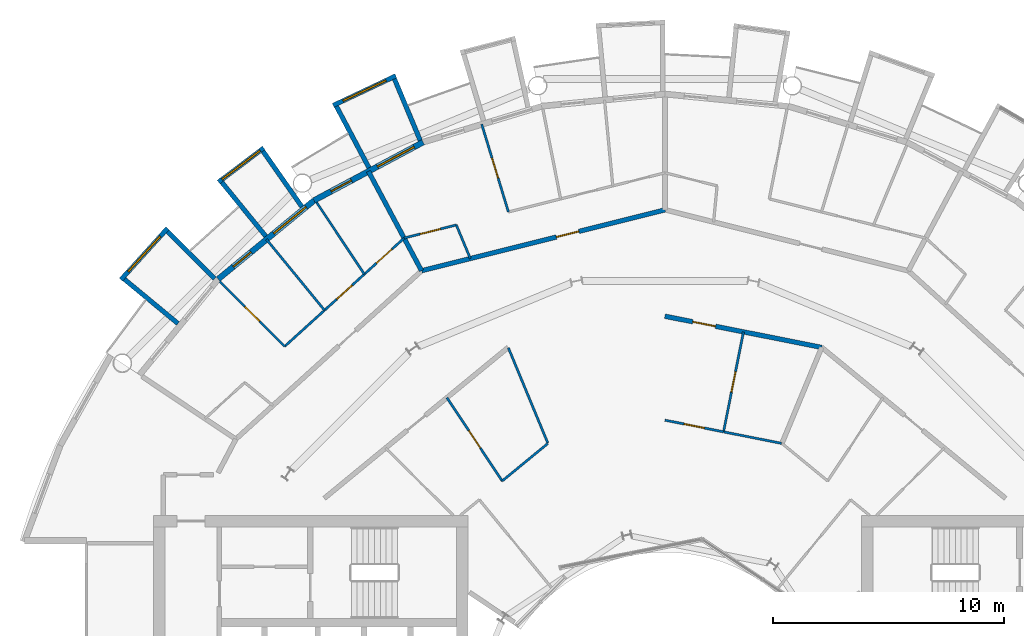
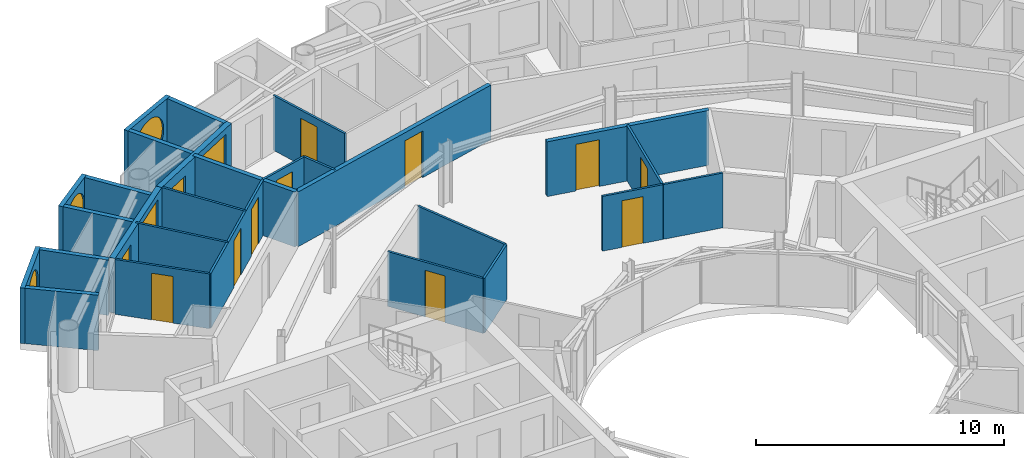
# One storey, part 20 of 27: 27 walls, 12 doors, 5 windows, 17 openings.
"""IFC4 building model written with IfcOpenShell, lengths in metres."""

from ifc_helpers import new_model, si_unit, direction, frame, frame_2d, origin, place, context, subcontext, project, spatial, rectangle, circle, extrude, material, layer, layer_set, type_object, element, fill, save


model = new_model("IFC4")

# Units and contexts
model_context = context("Model", 3, precision=1e-05, world=origin(), true_north=direction((0.0, 1.0)))
body_context = subcontext(model_context, "Body", "Model", "MODEL_VIEW")
ifc_project = project(units=[si_unit("LENGTHUNIT", "METRE"), si_unit("AREAUNIT", "SQUARE_METRE"), si_unit("VOLUMEUNIT", "CUBIC_METRE"), si_unit("PLANEANGLEUNIT", "RADIAN"), si_unit("MASSUNIT", "GRAM", prefix="KILO")], contexts=[model_context])

# Site, building, storey
site_placement = place(None, origin())
site = spatial("IfcSite", under=ifc_project, at=site_placement, CompositionType="ELEMENT")
building_placement = place(site_placement, origin())
building = spatial("IfcBuilding", under=site, at=building_placement, Name="Maasbend Ring Residences", CompositionType="ELEMENT")
storey_placement = place(building_placement, frame((0.0, 0.0, 164.64990234375)))
storey = spatial("IfcBuildingStorey", under=building, at=storey_placement, Name="L47", CompositionType="ELEMENT", Elevation=164.64990234375)

# Wall, opening, door
ifc_material_1 = material(Name="Concrete C30/37", Category="concrete")
ifc_layer_1 = layer(ifc_material_1, 0.199951171875)
ifc_layer_set_1 = layer_set([ifc_layer_1], Name="Concrete C30/37")
wall_type_1 = type_object("IfcWallType", Name="CORRIDOR WALL 200 CONCRETE", PredefinedType="PARTITIONING", material=ifc_layer_set_1)
wall_1_placement = place(storey_placement, frame((-0.001953125, 17.699951171875, 0.0), z_axis=(0.0, 0.0, 1.0), x_axis=(0.980804334721, -0.194994505033, 0.0)))
wall_1 = element("IfcWall", 1, at=wall_1_placement, inside=storey, type_object=wall_type_1, Name="U-L47-w103", PredefinedType="PARTITIONING", context=body_context, shape_type="SweptSolid", body=[
    extrude(rectangle(XDim=6.907470703125, YDim=0.199951171875, at=frame_2d((3.45361328125, 0.0))), origin(), (0.0, 0.0, 1.0), 2.7001953125),
])
opening_1_placement = place(wall_1_placement, frame((1.22802734375, 0.0, 0.0)))
opening_1 = element("IfcOpeningElement", 2, at=opening_1_placement, cuts=wall_1, Name="Opening D-4725", PredefinedType="OPENING", context=body_context, shape_type="SweptSolid", body=[
    extrude(rectangle(XDim=1.0, YDim=2.300048828125, at=frame_2d((0.5, 1.14990234375))), frame((0.0, 0.10986328125, 0.0), z_axis=(0.0, -1.0, 0.0), x_axis=(1.0, 0.0, 0.0)), (0.0, 0.0, 1.0), 0.219970703125),
])
ifc_material_2 = material(Name="Timber, fire-rated, painted", Category="wood")
door_type_1 = type_object("IfcDoorType", Name="FLAT ENTRANCE DOOR 1000 X 2300 FIRE-RATED", OperationType="NOTDEFINED", PredefinedType="DOOR", material=ifc_material_2)
door_1_placement = place(opening_1_placement, origin())
door_1 = element("IfcDoor", 3, at=door_1_placement, inside=storey, type_object=door_type_1, Name="D-4725", OperationType="SINGLE_SWING_LEFT", OverallHeight=2.300048828125, OverallWidth=1.0, PredefinedType="DOOR", context=body_context, shape_type="SweptSolid", body=[
    extrude(rectangle(XDim=1.0, YDim=2.300048828125, at=frame_2d((0.5, 1.14990234375))), frame((0.0, 0.02490234375, 0.0), z_axis=(0.0, -1.0, 0.0), x_axis=(1.0, 0.0, 0.0)), (0.0, 0.0, 1.0), 0.050048828125),
])
fill(opening_1, door_1)

wall_2_placement = place(storey_placement, frame((-10.511962890625, 19.6669921875, 0.0), z_axis=(0.0, 0.0, 1.0), x_axis=(0.970086843848, 0.242758141765, 0.0)))
wall_2 = element("IfcWall", 4, at=wall_2_placement, inside=storey, type_object=wall_type_1, Name="U-L47-w105", PredefinedType="PARTITIONING", context=body_context, shape_type="SweptSolid", body=[
    extrude(rectangle(XDim=10.84228515625, YDim=0.199951171875, at=frame_2d((5.421142578125, 0.0))), origin(), (0.0, 0.0, 1.0), 2.7001953125),
])
opening_2_placement = place(wall_2_placement, frame((6.001953125, 0.0, 0.0)))
opening_2 = element("IfcOpeningElement", 5, at=opening_2_placement, cuts=wall_2, Name="Opening D-4711", PredefinedType="OPENING", context=body_context, shape_type="SweptSolid", body=[
    extrude(rectangle(XDim=1.0, YDim=2.300048828125, at=frame_2d((0.5, 1.14990234375))), frame((0.0, 0.10986328125, 0.0), z_axis=(0.0, -1.0, 0.0), x_axis=(1.0, 0.0, 0.0)), (0.0, 0.0, 1.0), 0.219970703125),
])
door_2_placement = place(opening_2_placement, origin())
door_2 = element("IfcDoor", 6, at=door_2_placement, inside=storey, type_object=door_type_1, Name="D-4711", OperationType="SINGLE_SWING_RIGHT", OverallHeight=2.300048828125, OverallWidth=1.0, PredefinedType="DOOR", context=body_context, shape_type="SweptSolid", body=[
    extrude(rectangle(XDim=1.0, YDim=2.300048828125, at=frame_2d((0.5, 1.14990234375))), frame((0.0, 0.02490234375, 0.0), z_axis=(0.0, -1.0, 0.0), x_axis=(1.0, 0.0, 0.0)), (0.0, 0.0, 1.0), 0.050048828125),
])
fill(opening_2, door_2)

# Wall, opening, window
ifc_material_3 = material(Name="Pale anodised aluminium panel", Category="aluminium")
ifc_layer_2 = layer(ifc_material_3, 0.199951171875)
ifc_layer_set_2 = layer_set([ifc_layer_2], Name="EW-BOX")
wall_type_2 = type_object("IfcWallType", Name="EW-BOX", PredefinedType="SOLIDWALL", material=ifc_layer_set_2)
wall_3_placement = place(storey_placement, frame((-11.62890625, 28.087890625, -0.02978515625), z_axis=(0.0, 0.0, 1.0), x_axis=(-0.904000060331, -0.427532327342, 0.0)))
wall_3 = element("IfcWall", 7, at=wall_3_placement, inside=storey, type_object=wall_type_2, Name="Box front N15", PredefinedType="SOLIDWALL", context=body_context, shape_type="SweptSolid", body=[
    extrude(rectangle(XDim=2.993408203125, YDim=0.199951171875, at=frame_2d((1.49658203125, 0.0))), origin(), (0.0, 0.0, 1.0), 2.72998046875),
])
opening_3_placement = place(wall_3_placement, frame((0.45654296875, 0.0, 0.330078125)))
opening_3 = element("IfcOpeningElement", 8, at=opening_3_placement, cuts=wall_3, Name="Opening W-RD", PredefinedType="OPENING", context=body_context, shape_type="SweptSolid", body=[
    extrude(circle(Radius=1.0400390625, at=frame_2d((1.0400390625, 1.0400390625))), frame((0.0, 0.10986328125, 0.0), z_axis=(0.0, -1.0, 0.0), x_axis=(1.0, 0.0, 0.0)), (0.0, 0.0, 1.0), 0.219970703125),
])
ifc_material_4 = material(Name="Aluminium and clear glass", Category="aluminium")
window_type_1 = type_object("IfcWindowType", Name="W-RD", PartitioningType="SINGLE_PANEL", PredefinedType="WINDOW", material=ifc_material_4)
window_1_placement = place(opening_3_placement, origin())
window_1 = element("IfcWindow", 9, at=window_1_placement, inside=storey, type_object=window_type_1, Name="Round window N15", OverallHeight=2.080078125, OverallWidth=2.080078125, PartitioningType="SINGLE_PANEL", PredefinedType="WINDOW", context=body_context, shape_type="SweptSolid", body=[
    extrude(circle(Radius=1.0400390625, at=frame_2d((1.0400390625, 1.0400390625))), frame((0.0, 0.030029296875, 0.0), z_axis=(0.0, -1.0, 0.0), x_axis=(1.0, 0.0, 0.0)), (0.0, 0.0, 1.0), 0.06005859375),
])
fill(opening_3, window_1)

# Walls
wall_4_placement = place(storey_placement, frame((-10.574951171875, 25.294921875, -0.02978515625), z_axis=(0.0, 0.0, 1.0), x_axis=(-0.385697364644, 0.922625353492, 0.0)))
element("IfcWall", 10, at=wall_4_placement, inside=storey, type_object=wall_type_2, Name="Box side wall N15 left", PredefinedType="SOLIDWALL", context=body_context, shape_type="SweptSolid", body=[
    extrude(rectangle(XDim=2.88330078125, YDim=0.199951171875, at=frame_2d((1.441650390625, 0.0))), origin(), (0.0, 0.0, 1.0), 2.72998046875),
])
wall_5_placement = place(storey_placement, frame((-12.787109375, 24.113037109375, -0.02978515625), z_axis=(0.0, 0.0, 1.0), x_axis=(-0.468365282436, 0.883534924159, 0.0)))
element("IfcWall", 11, at=wall_5_placement, inside=storey, type_object=wall_type_2, Name="Box side wall N15 right", PredefinedType="SOLIDWALL", context=body_context, shape_type="SweptSolid", body=[
    extrude(rectangle(XDim=3.006103515625, YDim=0.199951171875, at=frame_2d((1.5029296875, 0.0))), origin(), (0.0, 0.0, 1.0), 2.72998046875),
])

# Wall, opening, window
wall_6_placement = place(storey_placement, frame((-17.3369140625, 24.971923828125, -0.02978515625), z_axis=(0.0, 0.0, 1.0), x_axis=(-0.797887588059, -0.602806268067, 0.0)))
wall_6 = element("IfcWall", 12, at=wall_6_placement, inside=storey, type_object=wall_type_2, Name="Box front N17", PredefinedType="SOLIDWALL", context=body_context, shape_type="SweptSolid", body=[
    extrude(rectangle(XDim=2.446533203125, YDim=0.199951171875, at=frame_2d((1.22314453125, 0.0))), origin(), (0.0, 0.0, 1.0), 2.72998046875),
])
opening_4_placement = place(wall_6_placement, frame((0.182861328125, 0.0, 0.330078125)))
opening_4 = element("IfcOpeningElement", 13, at=opening_4_placement, cuts=wall_6, Name="Opening W-RD", PredefinedType="OPENING", context=body_context, shape_type="SweptSolid", body=[
    extrude(circle(Radius=1.0400390625, at=frame_2d((1.0400390625, 1.0400390625))), frame((0.0, 0.10986328125, 0.0), z_axis=(0.0, -1.0, 0.0), x_axis=(1.0, 0.0, 0.0)), (0.0, 0.0, 1.0), 0.219970703125),
])
window_2_placement = place(opening_4_placement, origin())
window_2 = element("IfcWindow", 14, at=window_2_placement, inside=storey, type_object=window_type_1, Name="Round window N17", OverallHeight=2.080078125, OverallWidth=2.080078125, PartitioningType="SINGLE_PANEL", PredefinedType="WINDOW", context=body_context, shape_type="SweptSolid", body=[
    extrude(circle(Radius=1.0400390625, at=frame_2d((1.0400390625, 1.0400390625))), frame((0.0, 0.030029296875, 0.0), z_axis=(0.0, -1.0, 0.0), x_axis=(1.0, 0.0, 0.0)), (0.0, 0.0, 1.0), 0.06005859375),
])
fill(opening_4, window_2)

# Walls
wall_7_placement = place(storey_placement, frame((-15.68798828125, 22.43310546875, -0.02978515625), z_axis=(0.0, 0.0, 1.0), x_axis=(-0.573260687834, 0.819373043115, 0.0)))
element("IfcWall", 15, at=wall_7_placement, inside=storey, type_object=wall_type_2, Name="Box side wall N17 left", PredefinedType="SOLIDWALL", context=body_context, shape_type="SweptSolid", body=[
    extrude(rectangle(XDim=2.92529296875, YDim=0.199951171875, at=frame_2d((1.462646484375, 0.0))), origin(), (0.0, 0.0, 1.0), 2.72998046875),
])
wall_8_placement = place(storey_placement, frame((-17.24609375, 21.155029296875, -0.02978515625), z_axis=(0.0, 0.0, 1.0), x_axis=(-0.631741648902, 0.775179004516, 0.0)))
element("IfcWall", 16, at=wall_8_placement, inside=storey, type_object=wall_type_2, Name="Box side wall N17 right", PredefinedType="SOLIDWALL", context=body_context, shape_type="SweptSolid", body=[
    extrude(rectangle(XDim=3.005859375, YDim=0.199951171875, at=frame_2d((1.5029296875, 0.0))), origin(), (0.0, 0.0, 1.0), 2.72998046875),
])

# Wall, opening, window
wall_9_placement = place(storey_placement, frame((-21.492919921875, 21.5, -0.02978515625), z_axis=(0.0, 0.0, 1.0), x_axis=(-0.671506829416, -0.740998365753, 0.0)))
wall_9 = element("IfcWall", 17, at=wall_9_placement, inside=storey, type_object=wall_type_2, Name="Box front N19", PredefinedType="SOLIDWALL", context=body_context, shape_type="SweptSolid", body=[
    extrude(rectangle(XDim=2.9931640625, YDim=0.199951171875, at=frame_2d((1.49658203125, 0.0))), origin(), (0.0, 0.0, 1.0), 2.72998046875),
])
opening_5_placement = place(wall_9_placement, frame((0.45654296875, 0.0, 0.330078125)))
opening_5 = element("IfcOpeningElement", 18, at=opening_5_placement, cuts=wall_9, Name="Opening W-RD", PredefinedType="OPENING", context=body_context, shape_type="SweptSolid", body=[
    extrude(circle(Radius=1.0400390625, at=frame_2d((1.0400390625, 1.0400390625))), frame((0.0, 0.10986328125, 0.0), z_axis=(0.0, -1.0, 0.0), x_axis=(1.0, 0.0, 0.0)), (0.0, 0.0, 1.0), 0.219970703125),
])
window_3_placement = place(opening_5_placement, origin())
window_3 = element("IfcWindow", 19, at=window_3_placement, inside=storey, type_object=window_type_1, Name="Round window N19", OverallHeight=2.080078125, OverallWidth=2.080078125, PartitioningType="SINGLE_PANEL", PredefinedType="WINDOW", context=body_context, shape_type="SweptSolid", body=[
    extrude(circle(Radius=1.0400390625, at=frame_2d((1.0400390625, 1.0400390625))), frame((0.0, 0.030029296875, 0.0), z_axis=(0.0, -1.0, 0.0), x_axis=(1.0, 0.0, 0.0)), (0.0, 0.0, 1.0), 0.06005859375),
])
fill(opening_5, window_3)

# Walls
wall_10_placement = place(storey_placement, frame((-19.449951171875, 19.322998046875, -0.02978515625), z_axis=(0.0, 0.0, 1.0), x_axis=(-0.709727076896, 0.704476739375, 0.0)))
element("IfcWall", 20, at=wall_10_placement, inside=storey, type_object=wall_type_2, Name="Box side wall N19 left", PredefinedType="SOLIDWALL", context=body_context, shape_type="SweptSolid", body=[
    extrude(rectangle(XDim=2.883056640625, YDim=0.199951171875, at=frame_2d((1.44140625, 0.0))), origin(), (0.0, 0.0, 1.0), 2.72998046875),
])
wall_11_placement = place(storey_placement, frame((-21.041015625, 17.384033203125, -0.02978515625), z_axis=(0.0, 0.0, 1.0), x_axis=(-0.770784861449, 0.63709551667, 0.0)))
element("IfcWall", 21, at=wall_11_placement, inside=storey, type_object=wall_type_2, Name="Box side wall N19 right", PredefinedType="SOLIDWALL", context=body_context, shape_type="SweptSolid", body=[
    extrude(rectangle(XDim=3.005859375, YDim=0.199951171875, at=frame_2d((1.5029296875, 0.0))), origin(), (0.0, 0.0, 1.0), 2.72998046875),
])

# Wall, openings, door, window
ifc_material_5 = material(Name="Aluminium clad insulated panel", Category="aluminium")
ifc_layer_3 = layer(ifc_material_5, 0.25)
ifc_layer_set_3 = layer_set([ifc_layer_3], Name="EW-GL")
wall_type_3 = type_object("IfcWallType", Name="EW-GL", PredefinedType="SOLIDWALL", material=ifc_layer_set_3)
wall_12_placement = place(storey_placement, frame((-10.447021484375, 25.221923828125, 0.0), z_axis=(0.0, 0.0, 1.0), x_axis=(-0.881915646801, -0.471407246368, 0.0)))
wall_12 = element("IfcWall", 22, at=wall_12_placement, inside=storey, type_object=wall_type_3, Name="External wall N08", PredefinedType="SOLIDWALL", context=body_context, shape_type="SweptSolid", body=[
    extrude(rectangle(XDim=5.35205078125, YDim=0.25, at=frame_2d((2.676025390625, 0.0))), origin(), (0.0, 0.0, 1.0), 2.7001953125),
])
opening_6_placement = place(wall_12_placement, frame((0.441162109375, 0.0, 0.300048828125)))
opening_6 = element("IfcOpeningElement", 23, at=opening_6_placement, cuts=wall_12, Name="Opening W-BX", PredefinedType="OPENING", context=body_context, shape_type="SweptSolid", body=[
    extrude(rectangle(XDim=1.800048828125, YDim=2.10009765625, at=frame_2d((0.89990234375, 1.050048828125))), frame((0.0, 0.135009765625, 0.0), z_axis=(0.0, -1.0, 0.0), x_axis=(1.0, 0.0, 0.0)), (0.0, 0.0, 1.0), 0.27001953125),
])
opening_7_placement = place(wall_12_placement, frame((3.510498046875, 0.0, 0.0)))
opening_7 = element("IfcOpeningElement", 24, at=opening_7_placement, cuts=wall_12, Name="Opening D-LG", PredefinedType="OPENING", context=body_context, shape_type="SweptSolid", body=[
    extrude(rectangle(XDim=1.0, YDim=2.199951171875, at=frame_2d((0.5, 1.10009765625))), frame((0.0, 0.135009765625, 0.0), z_axis=(0.0, -1.0, 0.0), x_axis=(1.0, 0.0, 0.0)), (0.0, 0.0, 1.0), 0.27001953125),
])
ifc_material_6 = material(Name="Aluminium and clear glass", Category="aluminium")
door_type_2 = type_object("IfcDoorType", Name="D-LG", OperationType="SINGLE_SWING_LEFT", PredefinedType="DOOR", material=ifc_material_6)
door_3_placement = place(opening_7_placement, origin())
door_3 = element("IfcDoor", 25, at=door_3_placement, inside=storey, type_object=door_type_2, Name="Loggia door N16", OperationType="SINGLE_SWING_LEFT", OverallHeight=2.199951171875, OverallWidth=1.0, PredefinedType="DOOR", context=body_context, shape_type="SweptSolid", body=[
    extrude(rectangle(XDim=1.0, YDim=2.199951171875, at=frame_2d((0.5, 1.10009765625))), frame((0.0, 0.02490234375, 0.0), z_axis=(0.0, -1.0, 0.0), x_axis=(1.0, 0.0, 0.0)), (0.0, 0.0, 1.0), 0.050048828125),
])
fill(opening_7, door_3)
ifc_material_7 = material(Name="Aluminium and clear glass", Category="aluminium")
window_type_2 = type_object("IfcWindowType", Name="W-BX", PartitioningType="DOUBLE_PANEL_VERTICAL", PredefinedType="WINDOW", material=ifc_material_7)
window_4_placement = place(opening_6_placement, origin())
window_4 = element("IfcWindow", 26, at=window_4_placement, inside=storey, type_object=window_type_2, Name="Window N15 room to box", OverallHeight=2.10009765625, OverallWidth=1.800048828125, PartitioningType="SINGLE_PANEL", PredefinedType="WINDOW", context=body_context, shape_type="SweptSolid", body=[
    extrude(rectangle(XDim=1.800048828125, YDim=2.10009765625, at=frame_2d((0.89990234375, 1.050048828125))), frame((0.0, 0.030029296875, 0.0), z_axis=(0.0, -1.0, 0.0), x_axis=(1.0, 0.0, 0.0)), (0.0, 0.0, 1.0), 0.06005859375),
])
fill(opening_6, window_4)

wall_13_placement = place(storey_placement, frame((-15.1669921875, 22.698974609375, 0.0), z_axis=(0.0, 0.0, 1.0), x_axis=(-0.773019449054, -0.634382322723, 0.0)))
wall_13 = element("IfcWall", 27, at=wall_13_placement, inside=storey, type_object=wall_type_3, Name="External wall N09", PredefinedType="SOLIDWALL", context=body_context, shape_type="SweptSolid", body=[
    extrude(rectangle(XDim=5.351806640625, YDim=0.25, at=frame_2d((2.67578125, 0.0))), origin(), (0.0, 0.0, 1.0), 2.7001953125),
])
opening_8_placement = place(wall_13_placement, frame((0.441162109375, 0.0, 0.300048828125)))
opening_8 = element("IfcOpeningElement", 28, at=opening_8_placement, cuts=wall_13, Name="Opening W-BX", PredefinedType="OPENING", context=body_context, shape_type="SweptSolid", body=[
    extrude(rectangle(XDim=1.800048828125, YDim=2.10009765625, at=frame_2d((0.89990234375, 1.050048828125))), frame((0.0, 0.135009765625, 0.0), z_axis=(0.0, -1.0, 0.0), x_axis=(1.0, 0.0, 0.0)), (0.0, 0.0, 1.0), 0.27001953125),
])
opening_9_placement = place(wall_13_placement, frame((3.510498046875, 0.0, 0.0)))
opening_9 = element("IfcOpeningElement", 29, at=opening_9_placement, cuts=wall_13, Name="Opening D-LG", PredefinedType="OPENING", context=body_context, shape_type="SweptSolid", body=[
    extrude(rectangle(XDim=1.0, YDim=2.199951171875, at=frame_2d((0.5, 1.10009765625))), frame((0.0, 0.135009765625, 0.0), z_axis=(0.0, -1.0, 0.0), x_axis=(1.0, 0.0, 0.0)), (0.0, 0.0, 1.0), 0.27001953125),
])
door_4_placement = place(opening_9_placement, origin())
door_4 = element("IfcDoor", 30, at=door_4_placement, inside=storey, type_object=door_type_2, Name="Loggia door N18", OperationType="SINGLE_SWING_LEFT", OverallHeight=2.199951171875, OverallWidth=1.0, PredefinedType="DOOR", context=body_context, shape_type="SweptSolid", body=[
    extrude(rectangle(XDim=1.0, YDim=2.199951171875, at=frame_2d((0.5, 1.10009765625))), frame((0.0, 0.02490234375, 0.0), z_axis=(0.0, -1.0, 0.0), x_axis=(1.0, 0.0, 0.0)), (0.0, 0.0, 1.0), 0.050048828125),
])
fill(opening_9, door_4)
window_5_placement = place(opening_8_placement, origin())
window_5 = element("IfcWindow", 31, at=window_5_placement, inside=storey, type_object=window_type_2, Name="Window N17 room to box", OverallHeight=2.10009765625, OverallWidth=1.800048828125, PartitioningType="SINGLE_PANEL", PredefinedType="WINDOW", context=body_context, shape_type="SweptSolid", body=[
    extrude(rectangle(XDim=1.800048828125, YDim=2.10009765625, at=frame_2d((0.89990234375, 1.050048828125))), frame((0.0, 0.030029296875, 0.0), z_axis=(0.0, -1.0, 0.0), x_axis=(1.0, 0.0, 0.0)), (0.0, 0.0, 1.0), 0.06005859375),
])
fill(opening_8, window_5)

# Wall
ifc_material_8 = material(Name="Gypsum board on steel studs", Category="steel")
ifc_layer_4 = layer(ifc_material_8, 0.10009765625)
ifc_layer_set_4 = layer_set([ifc_layer_4], Name="PARTITION 100 GYPSUM")
wall_type_4 = type_object("IfcWallType", Name="PARTITION 100 GYPSUM", PredefinedType="PARTITIONING", material=ifc_layer_set_4)
wall_14_placement = place(storey_placement, frame((-9.012939453125, 21.64208984375, 0.0), z_axis=(0.0, 0.0, 1.0), x_axis=(0.384228756538, -0.923237923099, 0.0)))
element("IfcWall", 32, at=wall_14_placement, inside=storey, type_object=wall_type_4, Name="U-L47-w031", PredefinedType="PARTITIONING", context=body_context, shape_type="SweptSolid", body=[
    extrude(rectangle(XDim=1.5693359375, YDim=0.10009765625, at=frame_2d((0.78466796875, 0.0))), origin(), (0.0, 0.0, 1.0), 2.7001953125),
])

# Wall, opening, door
wall_15_placement = place(storey_placement, frame((-19.23388671875, 19.197021484375, 0.0), z_axis=(0.0, 0.0, 1.0), x_axis=(0.707722727509, -0.706490297858, 0.0)))
wall_15 = element("IfcWall", 33, at=wall_15_placement, inside=storey, type_object=wall_type_4, Name="U-L47-w034", PredefinedType="PARTITIONING", context=body_context, shape_type="SweptSolid", body=[
    extrude(rectangle(XDim=3.9619140625, YDim=0.10009765625, at=frame_2d((1.98095703125, 0.0))), origin(), (0.0, 0.0, 1.0), 2.7001953125),
])
opening_10_placement = place(wall_15_placement, frame((1.531005859375, 0.0, 0.0)))
opening_10 = element("IfcOpeningElement", 34, at=opening_10_placement, cuts=wall_15, Name="Opening D-4718", PredefinedType="OPENING", context=body_context, shape_type="SweptSolid", body=[
    extrude(rectangle(XDim=0.89990234375, YDim=2.300048828125, at=frame_2d((0.449951171875, 1.14990234375))), frame((0.0, 0.06005859375, 0.0), z_axis=(0.0, -1.0, 0.0), x_axis=(1.0, 0.0, 0.0)), (0.0, 0.0, 1.0), 0.1201171875),
])
ifc_material_9 = material(Name="Timber, painted", Category="wood")
door_type_3 = type_object("IfcDoorType", Name="INTERNAL DOOR 900 X 2300", OperationType="NOTDEFINED", PredefinedType="DOOR", material=ifc_material_9)
door_5_placement = place(opening_10_placement, origin())
door_5 = element("IfcDoor", 35, at=door_5_placement, inside=storey, type_object=door_type_3, Name="D-4718", OperationType="SINGLE_SWING_LEFT", OverallHeight=2.300048828125, OverallWidth=0.89990234375, PredefinedType="DOOR", context=body_context, shape_type="SweptSolid", body=[
    extrude(rectangle(XDim=0.89990234375, YDim=2.300048828125, at=frame_2d((0.449951171875, 1.14990234375))), frame((0.0, 0.02490234375, 0.0), z_axis=(0.0, -1.0, 0.0), x_axis=(1.0, 0.0, 0.0)), (0.0, 0.0, 1.0), 0.050048828125),
])
fill(opening_10, door_5)

# Walls
wall_16_placement = place(storey_placement, frame((-17.218994140625, 21.02294921875, 0.0), z_axis=(0.0, 0.0, 1.0), x_axis=(0.633590098448, -0.773668913133, 0.0)))
element("IfcWall", 36, at=wall_16_placement, inside=storey, type_object=wall_type_4, Name="U-L47-w038", PredefinedType="PARTITIONING", context=body_context, shape_type="SweptSolid", body=[
    extrude(rectangle(XDim=3.961669921875, YDim=0.10009765625, at=frame_2d((1.98095703125, 0.0))), origin(), (0.0, 0.0, 1.0), 2.7001953125),
])
wall_17_placement = place(storey_placement, frame((-15.053955078125, 22.6240234375, 0.0), z_axis=(0.0, 0.0, 1.0), x_axis=(0.553823887887, -0.83263383381, 0.0)))
element("IfcWall", 37, at=wall_17_placement, inside=storey, type_object=wall_type_4, Name="U-L47-w041", PredefinedType="PARTITIONING", context=body_context, shape_type="SweptSolid", body=[
    extrude(rectangle(XDim=3.730224609375, YDim=0.10009765625, at=frame_2d((1.865234375, 0.0))), origin(), (0.0, 0.0, 1.0), 2.7001953125),
])

# Wall, opening, door
wall_18_placement = place(storey_placement, frame((-9.4208984375, 14.179931640625, 0.0), z_axis=(0.0, 0.0, 1.0), x_axis=(0.553303732327, -0.832979579457, 0.0)))
wall_18 = element("IfcWall", 38, at=wall_18_placement, inside=storey, type_object=wall_type_4, Name="U-L47-w046", PredefinedType="PARTITIONING", context=body_context, shape_type="SweptSolid", body=[
    extrude(rectangle(XDim=4.3193359375, YDim=0.10009765625, at=frame_2d((2.15966796875, 0.0))), origin(), (0.0, 0.0, 1.0), 2.7001953125),
])
opening_11_placement = place(wall_18_placement, frame((1.7099609375, 0.0, 0.0)))
opening_11 = element("IfcOpeningElement", 39, at=opening_11_placement, cuts=wall_18, Name="Opening D-4729", PredefinedType="OPENING", context=body_context, shape_type="SweptSolid", body=[
    extrude(rectangle(XDim=0.89990234375, YDim=2.300048828125, at=frame_2d((0.449951171875, 1.14990234375))), frame((0.0, 0.06005859375, 0.0), z_axis=(0.0, -1.0, 0.0), x_axis=(1.0, 0.0, 0.0)), (0.0, 0.0, 1.0), 0.1201171875),
])
door_6_placement = place(opening_11_placement, origin())
door_6 = element("IfcDoor", 40, at=door_6_placement, inside=storey, type_object=door_type_3, Name="D-4729", OperationType="SINGLE_SWING_RIGHT", OverallHeight=2.300048828125, OverallWidth=0.89990234375, PredefinedType="DOOR", context=body_context, shape_type="SweptSolid", body=[
    extrude(rectangle(XDim=0.89990234375, YDim=2.300048828125, at=frame_2d((0.449951171875, 1.14990234375))), frame((0.0, 0.02490234375, 0.0), z_axis=(0.0, -1.0, 0.0), x_axis=(1.0, 0.0, 0.0)), (0.0, 0.0, 1.0), 0.050048828125),
])
fill(opening_11, door_6)

wall_19_placement = place(storey_placement, frame((-7.9169921875, 25.99609375, 0.0), z_axis=(0.0, 0.0, 1.0), x_axis=(0.291291575636, -0.956634317785, 0.0)))
wall_19 = element("IfcWall", 41, at=wall_19_placement, inside=storey, type_object=wall_type_4, Name="U-L47-w051", PredefinedType="PARTITIONING", context=body_context, shape_type="SweptSolid", body=[
    extrude(rectangle(XDim=3.9619140625, YDim=0.10009765625, at=frame_2d((1.98095703125, 0.0))), origin(), (0.0, 0.0, 1.0), 2.7001953125),
])
opening_12_placement = place(wall_19_placement, frame((1.531005859375, 0.0, 0.0)))
opening_12 = element("IfcOpeningElement", 42, at=opening_12_placement, cuts=wall_19, Name="Opening D-4713", PredefinedType="OPENING", context=body_context, shape_type="SweptSolid", body=[
    extrude(rectangle(XDim=0.89990234375, YDim=2.300048828125, at=frame_2d((0.449951171875, 1.14990234375))), frame((0.0, 0.06005859375, 0.0), z_axis=(0.0, -1.0, 0.0), x_axis=(1.0, 0.0, 0.0)), (0.0, 0.0, 1.0), 0.1201171875),
])
door_7_placement = place(opening_12_placement, origin())
door_7 = element("IfcDoor", 43, at=door_7_placement, inside=storey, type_object=door_type_3, Name="D-4713", OperationType="SINGLE_SWING_LEFT", OverallHeight=2.300048828125, OverallWidth=0.89990234375, PredefinedType="DOOR", context=body_context, shape_type="SweptSolid", body=[
    extrude(rectangle(XDim=0.89990234375, YDim=2.300048828125, at=frame_2d((0.449951171875, 1.14990234375))), frame((0.0, 0.02490234375, 0.0), z_axis=(0.0, -1.0, 0.0), x_axis=(1.0, 0.0, 0.0)), (0.0, 0.0, 1.0), 0.050048828125),
])
fill(opening_12, door_7)

wall_20_placement = place(storey_placement, frame((2.531982421875, 12.705078125, 0.0), z_axis=(0.0, 0.0, 1.0), x_axis=(0.195273978699, 0.980748730941, 0.0)))
wall_20 = element("IfcWall", 44, at=wall_20_placement, inside=storey, type_object=wall_type_4, Name="U-L47-w065", PredefinedType="PARTITIONING", context=body_context, shape_type="SweptSolid", body=[
    extrude(rectangle(XDim=4.404541015625, YDim=0.10009765625, at=frame_2d((2.2021484375, 0.0))), origin(), (0.0, 0.0, 1.0), 2.7001953125),
])
opening_13_placement = place(wall_20_placement, frame((1.751953125, 0.0, 0.0)))
opening_13 = element("IfcOpeningElement", 45, at=opening_13_placement, cuts=wall_20, Name="Opening D-4726", PredefinedType="OPENING", context=body_context, shape_type="SweptSolid", body=[
    extrude(rectangle(XDim=0.89990234375, YDim=2.300048828125, at=frame_2d((0.449951171875, 1.14990234375))), frame((0.0, 0.06005859375, 0.0), z_axis=(0.0, -1.0, 0.0), x_axis=(1.0, 0.0, 0.0)), (0.0, 0.0, 1.0), 0.1201171875),
])
door_8_placement = place(opening_13_placement, origin())
door_8 = element("IfcDoor", 46, at=door_8_placement, inside=storey, type_object=door_type_3, Name="D-4726", OperationType="SINGLE_SWING_RIGHT", OverallHeight=2.300048828125, OverallWidth=0.89990234375, PredefinedType="DOOR", context=body_context, shape_type="SweptSolid", body=[
    extrude(rectangle(XDim=0.89990234375, YDim=2.300048828125, at=frame_2d((0.449951171875, 1.14990234375))), frame((0.0, 0.02490234375, 0.0), z_axis=(0.0, -1.0, 0.0), x_axis=(1.0, 0.0, 0.0)), (0.0, 0.0, 1.0), 0.050048828125),
])
fill(opening_13, door_8)

# Wall
wall_21_placement = place(storey_placement, frame((-7.033935546875, 10.580078125, 0.0), z_axis=(0.0, 0.0, 1.0), x_axis=(0.772764723682, 0.634692588449, 0.0)))
element("IfcWall", 47, at=wall_21_placement, inside=storey, type_object=wall_type_4, Name="U-L47-w097", PredefinedType="PARTITIONING", context=body_context, shape_type="SweptSolid", body=[
    extrude(rectangle(XDim=2.556884765625, YDim=0.10009765625, at=frame_2d((1.2783203125, 0.0))), origin(), (0.0, 0.0, 1.0), 2.7001953125),
])

# Wall, opening, door
wall_22_placement = place(storey_placement, frame((0.0, 13.208984375, 0.0), z_axis=(0.0, 0.0, 1.0), x_axis=(0.980766092797, -0.195186759846, 0.0)))
wall_22 = element("IfcWall", 48, at=wall_22_placement, inside=storey, type_object=wall_type_4, Name="U-L47-w100", PredefinedType="PARTITIONING", context=body_context, shape_type="SweptSolid", body=[
    extrude(rectangle(XDim=2.57666015625, YDim=0.10009765625, at=frame_2d((1.288330078125, 0.0))), origin(), (0.0, 0.0, 1.0), 2.7001953125),
])
opening_14_placement = place(wall_22_placement, frame((0.837890625, 0.0, 0.0)))
opening_14 = element("IfcOpeningElement", 49, at=opening_14_placement, cuts=wall_22, Name="Opening D-4727", PredefinedType="OPENING", context=body_context, shape_type="SweptSolid", body=[
    extrude(rectangle(XDim=0.89990234375, YDim=2.300048828125, at=frame_2d((0.449951171875, 1.14990234375))), frame((0.0, 0.06005859375, 0.0), z_axis=(0.0, -1.0, 0.0), x_axis=(1.0, 0.0, 0.0)), (0.0, 0.0, 1.0), 0.1201171875),
])
door_9_placement = place(opening_14_placement, origin())
door_9 = element("IfcDoor", 50, at=door_9_placement, inside=storey, type_object=door_type_3, Name="D-4727", OperationType="SINGLE_SWING_LEFT", OverallHeight=2.300048828125, OverallWidth=0.89990234375, PredefinedType="DOOR", context=body_context, shape_type="SweptSolid", body=[
    extrude(rectangle(XDim=0.89990234375, YDim=2.300048828125, at=frame_2d((0.449951171875, 1.14990234375))), frame((0.0, 0.02490234375, 0.0), z_axis=(0.0, -1.0, 0.0), x_axis=(1.0, 0.0, 0.0)), (0.0, 0.0, 1.0), 0.050048828125),
])
fill(opening_14, door_9)

# Wall, openings, doors
wall_23_placement = place(storey_placement, frame((-16.429931640625, 16.39794921875, 0.0), z_axis=(0.0, 0.0, 1.0), x_axis=(0.740990766872, 0.671515214578, 0.0)))
wall_23 = element("IfcWall", 51, at=wall_23_placement, inside=storey, type_object=wall_type_4, Name="U-L47-w113", PredefinedType="PARTITIONING", context=body_context, shape_type="SweptSolid", body=[
    extrude(rectangle(XDim=6.96484375, YDim=0.10009765625, at=frame_2d((3.482421875, 0.0))), origin(), (0.0, 0.0, 1.0), 2.7001953125),
])
opening_15_placement = place(wall_23_placement, frame((3.034912109375, 0.0, 0.0)))
opening_15 = element("IfcOpeningElement", 52, at=opening_15_placement, cuts=wall_23, Name="Opening D-4719", PredefinedType="OPENING", context=body_context, shape_type="SweptSolid", body=[
    extrude(rectangle(XDim=0.89990234375, YDim=2.300048828125, at=frame_2d((0.449951171875, 1.14990234375))), frame((0.0, 0.06005859375, 0.0), z_axis=(0.0, -1.0, 0.0), x_axis=(1.0, 0.0, 0.0)), (0.0, 0.0, 1.0), 0.1201171875),
])
opening_16_placement = place(wall_23_placement, frame((5.35693359375, 0.0, 0.0)))
opening_16 = element("IfcOpeningElement", 53, at=opening_16_placement, cuts=wall_23, Name="Opening D-4720", PredefinedType="OPENING", context=body_context, shape_type="SweptSolid", body=[
    extrude(rectangle(XDim=0.89990234375, YDim=2.300048828125, at=frame_2d((0.449951171875, 1.14990234375))), frame((0.0, 0.06005859375, 0.0), z_axis=(0.0, -1.0, 0.0), x_axis=(1.0, 0.0, 0.0)), (0.0, 0.0, 1.0), 0.1201171875),
])
door_10_placement = place(opening_15_placement, origin())
door_10 = element("IfcDoor", 54, at=door_10_placement, inside=storey, type_object=door_type_3, Name="D-4719", OperationType="SINGLE_SWING_RIGHT", OverallHeight=2.300048828125, OverallWidth=0.89990234375, PredefinedType="DOOR", context=body_context, shape_type="SweptSolid", body=[
    extrude(rectangle(XDim=0.89990234375, YDim=2.300048828125, at=frame_2d((0.449951171875, 1.14990234375))), frame((0.0, 0.02490234375, 0.0), z_axis=(0.0, -1.0, 0.0), x_axis=(1.0, 0.0, 0.0)), (0.0, 0.0, 1.0), 0.050048828125),
])
fill(opening_15, door_10)
door_11_placement = place(opening_16_placement, origin())
door_11 = element("IfcDoor", 55, at=door_11_placement, inside=storey, type_object=door_type_3, Name="D-4720", OperationType="SINGLE_SWING_RIGHT", OverallHeight=2.300048828125, OverallWidth=0.89990234375, PredefinedType="DOOR", context=body_context, shape_type="SweptSolid", body=[
    extrude(rectangle(XDim=0.89990234375, YDim=2.300048828125, at=frame_2d((0.449951171875, 1.14990234375))), frame((0.0, 0.02490234375, 0.0), z_axis=(0.0, -1.0, 0.0), x_axis=(1.0, 0.0, 0.0)), (0.0, 0.0, 1.0), 0.050048828125),
])
fill(opening_16, door_11)

# Wall, opening, door
wall_24_placement = place(storey_placement, frame((-11.26611328125, 21.077880859375, 0.0), z_axis=(0.0, 0.0, 1.0), x_axis=(0.970074595874, 0.242807080706, 0.0)))
wall_24 = element("IfcWall", 56, at=wall_24_placement, inside=storey, type_object=wall_type_4, Name="U-L47-w114", PredefinedType="PARTITIONING", context=body_context, shape_type="SweptSolid", body=[
    extrude(rectangle(XDim=2.32763671875, YDim=0.10009765625, at=frame_2d((1.163818359375, 0.0))), origin(), (0.0, 0.0, 1.0), 2.7001953125),
])
opening_17_placement = place(wall_24_placement, frame((0.714111328125, 0.0, 0.0)))
opening_17 = element("IfcOpeningElement", 57, at=opening_17_placement, cuts=wall_24, Name="Opening D-4712", PredefinedType="OPENING", context=body_context, shape_type="SweptSolid", body=[
    extrude(rectangle(XDim=0.89990234375, YDim=2.300048828125, at=frame_2d((0.449951171875, 1.14990234375))), frame((0.0, 0.06005859375, 0.0), z_axis=(0.0, -1.0, 0.0), x_axis=(1.0, 0.0, 0.0)), (0.0, 0.0, 1.0), 0.1201171875),
])
door_12_placement = place(opening_17_placement, origin())
door_12 = element("IfcDoor", 58, at=door_12_placement, inside=storey, type_object=door_type_3, Name="D-4712", OperationType="SINGLE_SWING_RIGHT", OverallHeight=2.300048828125, OverallWidth=0.89990234375, PredefinedType="DOOR", context=body_context, shape_type="SweptSolid", body=[
    extrude(rectangle(XDim=0.89990234375, YDim=2.300048828125, at=frame_2d((0.449951171875, 1.14990234375))), frame((0.0, 0.02490234375, 0.0), z_axis=(0.0, -1.0, 0.0), x_axis=(1.0, 0.0, 0.0)), (0.0, 0.0, 1.0), 0.050048828125),
])
fill(opening_17, door_12)

# Walls
wall_25_placement = place(storey_placement, frame((5.034912109375, 12.2080078125, 0.0), z_axis=(0.0, 0.0, 1.0), x_axis=(-0.980857356895, 0.194727618547, 0.0)))
element("IfcWall", 59, at=wall_25_placement, inside=storey, type_object=wall_type_4, Name="U-L47-w120", PredefinedType="PARTITIONING", context=body_context, shape_type="SweptSolid", body=[
    extrude(rectangle(XDim=2.536376953125, YDim=0.10009765625, at=frame_2d((1.26806640625, 0.0))), origin(), (0.0, 0.0, 1.0), 2.7001953125),
])
wall_26_placement = place(storey_placement, frame((-6.764892578125, 16.333984375, 0.0), z_axis=(0.0, 0.0, 1.0), x_axis=(0.382498794932, -0.923955990226, 0.0)))
element("IfcWall", 60, at=wall_26_placement, inside=storey, type_object=wall_type_4, Name="U-L47-w121", PredefinedType="PARTITIONING", context=body_context, shape_type="SweptSolid", body=[
    extrude(rectangle(XDim=4.449462890625, YDim=0.10009765625, at=frame_2d((2.224609375, 0.0))), origin(), (0.0, 0.0, 1.0), 2.7001953125),
])
ifc_material_10 = material(Name="Concrete C30/37", Category="concrete")
ifc_layer_5 = layer(ifc_material_10, 0.199951171875)
ifc_layer_set_5 = layer_set([ifc_layer_5], Name="Concrete C30/37")
wall_type_5 = type_object("IfcWallType", Name="PARTY WALL 200 CONCRETE", PredefinedType="PARTITIONING", material=ifc_layer_set_5)
wall_27_placement = place(storey_placement, frame((-12.81396484375, 23.964111328125, 0.0), z_axis=(0.0, 0.0, 1.0), x_axis=(0.471388689095, -0.881925565903, 0.0)))
element("IfcWall", 61, at=wall_27_placement, inside=storey, type_object=wall_type_5, Name="U-L47-w042", PredefinedType="PARTITIONING", context=body_context, shape_type="SweptSolid", body=[
    extrude(rectangle(XDim=4.874755859375, YDim=0.199951171875, at=frame_2d((2.4375, 0.0))), origin(), (0.0, 0.0, 1.0), 2.7001953125),
])

save(model, "model.ifc")
